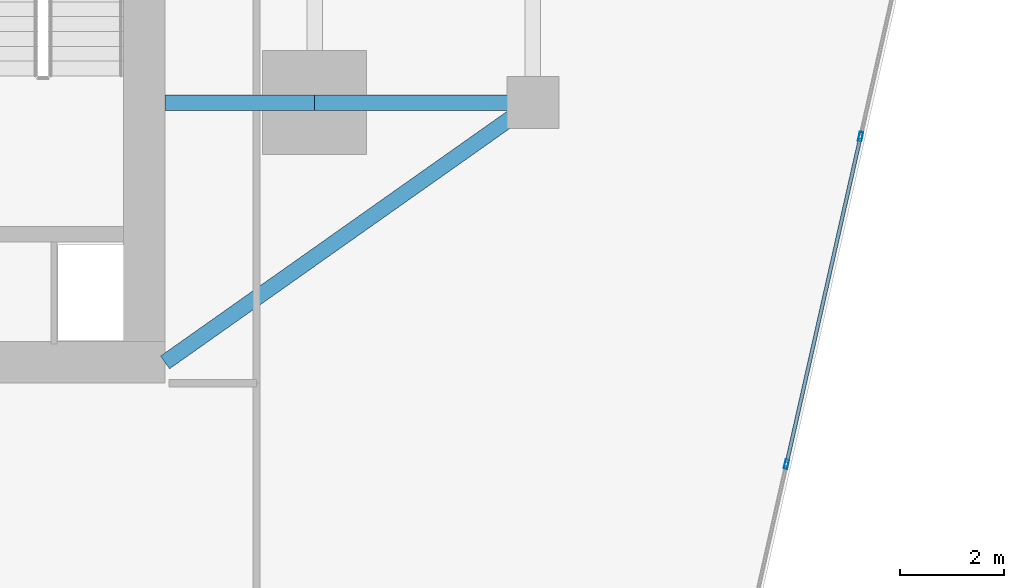
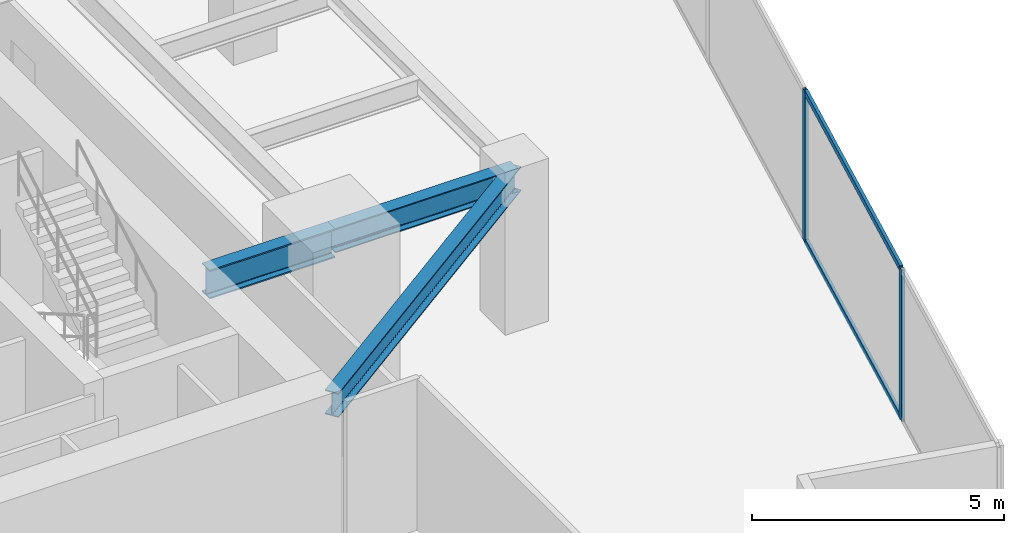
# One storey, part 11 of 26: 4 members, 3 beams, 1 element without a shape of its own.
"""IFC4 building model written with IfcOpenShell, lengths in metres."""

import ifcopenshell
import ifcopenshell.guid

model = None  # the IFC model being written
_history = None  # IfcOwnerHistory: only IFC2X3 demands one
_inside = {}  # id of a spatial element -> (the spatial element, [elements in it])
_under = {}  # id of a project, library or spatial element -> (it, [spatial elements below it])
_declared = {}  # id of a project -> (the project, [libraries it declares])
_typed = {}  # id of a type object -> (the type object, [elements of that type])
_made_of = {}  # id of a material, layer set ... -> (it, [elements and type objects made of it])


def new_model(schema):
    """Start an empty IFC model of exactly this schema.

    Asked for "IFC4X3", IfcOpenShell would pick the latest addendum, in which some entities
    have other attributes; the version numbers below select the first issue.
    IFC2X3 requires an IfcOwnerHistory on every rooted entity: one is made here for all.
    """
    global model, _history
    if schema == "IFC4X3":
        model = ifcopenshell.file(schema_version=(4, 3, 0, 0))
    else:
        model = ifcopenshell.file(schema=schema)
    _inside.clear()
    _under.clear()
    _declared.clear()
    _typed.clear()
    _made_of.clear()
    _history = None
    if model.schema == "IFC2X3":
        org = make("IfcOrganization", Name="unknown")
        user = make(
            "IfcPersonAndOrganization",
            ThePerson=make("IfcPerson", FamilyName="unknown"),
            TheOrganization=org,
        )
        app = make(
            "IfcApplication",
            ApplicationDeveloper=org,
            Version="unknown",
            ApplicationFullName="unknown",
            ApplicationIdentifier="unknown",
        )
        _history = make(
            "IfcOwnerHistory",
            OwningUser=user,
            OwningApplication=app,
            ChangeAction="ADDED",
            CreationDate=0,
        )
    return model


def make(cls, **values):
    """One entity of the class cls with the attributes given. An attribute that is None is left unset."""
    return model.create_entity(
        cls, **{name: value for name, value in values.items() if value is not None}
    )


def rooted(cls, **values):
    """An entity with a GlobalId (a new one), such as an element, a storey or a relation."""
    return make(cls, GlobalId=ifcopenshell.guid.new(), OwnerHistory=_history, **values)


def si_unit(unit_type, name, prefix=None):
    """IfcSIUnit, for example si_unit("LENGTHUNIT", "METRE", prefix="MILLI")."""
    return make("IfcSIUnit", UnitType=unit_type, Prefix=prefix, Name=name)


def assignment(units):
    """IfcUnitAssignment: the units of a project."""
    return None if units is None else make("IfcUnitAssignment", Units=units)


def point(xyz):
    """IfcCartesianPoint."""
    return None if xyz is None else make("IfcCartesianPoint", Coordinates=xyz)


def direction(xyz):
    """IfcDirection."""
    return None if xyz is None else make("IfcDirection", DirectionRatios=xyz)


def frame(location, z_axis=None, x_axis=None):
    """IfcAxis2Placement3D, a coordinate frame: its origin and axes. An axis left out is left unset."""
    return make(
        "IfcAxis2Placement3D",
        Location=point(location),
        Axis=direction(z_axis),
        RefDirection=direction(x_axis),
    )


def frame_2d(location, x_axis=None):
    """IfcAxis2Placement2D, a coordinate frame in the plane: its origin and x axis."""
    return make(
        "IfcAxis2Placement2D", Location=point(location), RefDirection=direction(x_axis)
    )


def origin():
    """The frame at (0, 0, 0) with its axes left unset."""
    return frame((0.0, 0.0, 0.0))


def origin_2d():
    """The frame at (0, 0) in the plane with its x axis left unset."""
    return frame_2d((0.0, 0.0))


def place(relative_to, where):
    """IfcLocalPlacement: puts the frame where relative to a parent placement (None: the world)."""
    return make(
        "IfcLocalPlacement", PlacementRelTo=relative_to, RelativePlacement=where
    )


def context(
    kind, dimensions, precision=None, world=None, true_north=None, identifier=None
):
    """IfcGeometricRepresentationContext, for example the 3D "Model" context."""
    return make(
        "IfcGeometricRepresentationContext",
        ContextIdentifier=identifier,
        ContextType=kind,
        CoordinateSpaceDimension=dimensions,
        Precision=precision,
        WorldCoordinateSystem=world,
        TrueNorth=true_north,
    )


def subcontext(parent, identifier, kind, view, scale=None):
    """IfcGeometricRepresentationSubContext, for example "Body" below "Model"."""
    return make(
        "IfcGeometricRepresentationSubContext",
        ContextIdentifier=identifier,
        ContextType=kind,
        ParentContext=parent,
        TargetScale=scale,
        TargetView=view,
    )


def project(units=None, contexts=None):
    """IfcProject with its units and contexts."""
    return rooted(
        "IfcProject",
        Name="project",
        RepresentationContexts=contexts,
        UnitsInContext=assignment(units),
    )


def spatial(cls, under=None, at=None, **own):
    """A site, building, storey or space (cls), placed at a placement, below another one or the project."""
    s = rooted(cls, ObjectPlacement=at, **own)
    if under is not None:
        _under.setdefault(under.id(), (under, []))[1].append(s)
    return s


def profile(cls, at=None, kind="AREA", **sizes):
    """A parametric profile (cls). Its sizes go by their IFC names, for example OverallWidth=200.0."""
    return make(cls, ProfileType=kind, Position=at, **sizes)


def hollow_rectangle(**sizes):
    """IfcRectangleHollowProfileDef."""
    return profile("IfcRectangleHollowProfileDef", **sizes)


def i_section(**sizes):
    """IfcIShapeProfileDef."""
    return profile("IfcIShapeProfileDef", **sizes)


def extrude(swept, where, along, depth):
    """IfcExtrudedAreaSolid: the profile swept, set in the frame where, extruded along a direction by depth."""
    return make(
        "IfcExtrudedAreaSolid",
        SweptArea=swept,
        Position=where,
        ExtrudedDirection=direction(along),
        Depth=depth,
    )


def shape(context_of_items, identifier, shape_type, items):
    """IfcShapeRepresentation: the items that make up one representation, for example the "Body"."""
    return make(
        "IfcShapeRepresentation",
        ContextOfItems=context_of_items,
        RepresentationIdentifier=identifier,
        RepresentationType=shape_type,
        Items=items,
    )


def source(mapping_origin, context_of_items, identifier, shape_type, items):
    """IfcRepresentationMap: a shape defined once, which mapped items show again and again."""
    return make(
        "IfcRepresentationMap",
        MappingOrigin=mapping_origin,
        MappedRepresentation=shape(context_of_items, identifier, shape_type, items),
    )


def transform(
    local_origin,
    x_axis=None,
    y_axis=None,
    z_axis=None,
    scale=None,
    scale2=None,
    scale3=None,
    uniform=True,
):
    """IfcCartesianTransformationOperator3D, or its non-uniform kind. x_axis, y_axis, z_axis: its Axis1, 2, 3."""
    if uniform:
        return make(
            "IfcCartesianTransformationOperator3D",
            Axis1=direction(x_axis),
            Axis2=direction(y_axis),
            LocalOrigin=point(local_origin),
            Scale=scale,
            Axis3=direction(z_axis),
        )
    return make(
        "IfcCartesianTransformationOperator3DnonUniform",
        Axis1=direction(x_axis),
        Axis2=direction(y_axis),
        LocalOrigin=point(local_origin),
        Scale=scale,
        Axis3=direction(z_axis),
        Scale2=scale2,
        Scale3=scale3,
    )


def mapped(mapping_source, mapping_target):
    """IfcMappedItem: shows the shape of a source again, moved by a transform."""
    return make(
        "IfcMappedItem", MappingSource=mapping_source, MappingTarget=mapping_target
    )


def material(Name=None, Category=None):
    """IfcMaterial."""
    return make("IfcMaterial", Name=Name, Category=Category)


def material_profile(
    of_material, cross_section, Name=None, Category=None, Priority=None
):
    """IfcMaterialProfile: a cross section and its material."""
    return make(
        "IfcMaterialProfile",
        Name=Name,
        Material=of_material,
        Profile=cross_section,
        Priority=Priority,
        Category=Category,
    )


def profile_set(profiles, Name=None, composite=None):
    """IfcMaterialProfileSet."""
    return make(
        "IfcMaterialProfileSet",
        Name=Name,
        MaterialProfiles=profiles,
        CompositeProfile=composite,
    )


def made_of(thing, what):
    """Note that an element or type object is made of a material, layer set ...; save() writes the relation."""
    if what is not None:
        _made_of.setdefault(what.id(), (what, []))[1].append(thing)
    return thing


def type_object(cls, material=None, **own):
    """A type object (cls), such as IfcWallType, which elements share."""
    return made_of(rooted(cls, **own), material)


def type_shapes(of_type, sources):
    """Give a type object the sources (RepresentationMaps) that its elements show as mapped items."""
    of_type.RepresentationMaps = sources


def element(
    cls,
    number,
    at=None,
    inside=None,
    cuts=None,
    type_object=None,
    material=None,
    context=None,
    identifier="Body",
    shape_type=None,
    held_by="IfcProductDefinitionShape",
    body=None,
    shapes=None,
    **own,
):
    """One element of the class cls, such as IfcWall. Its Tag is "e" and its number.

    at: its placement. inside: the storey or other place that contains it. cuts: it is an
    opening in that element (IfcRelVoidsElement). A single representation is given by context,
    identifier, shape_type and body (its items); several are given by shapes. held_by: the class
    of the entity that holds the representations. save() writes the other relations.
    """
    e = rooted(cls, Tag="e%d" % number, ObjectPlacement=at, **own)
    if body is not None:
        shapes = [shape(context, identifier, shape_type, body)]
    if shapes is not None:
        e.Representation = make(held_by, Representations=shapes)
    if inside is not None:
        _inside.setdefault(inside.id(), (inside, []))[1].append(e)
    if cuts is not None:
        rooted(
            "IfcRelVoidsElement", RelatingBuildingElement=cuts, RelatedOpeningElement=e
        )
    if type_object is not None:
        _typed.setdefault(type_object.id(), (type_object, []))[1].append(e)
    return made_of(e, material)


def aggregate(whole, parts):
    """IfcRelAggregates: a whole, such as a stair, and the parts it consists of."""
    return rooted("IfcRelAggregates", RelatingObject=whole, RelatedObjects=parts)


def save(model, path):
    """Write the relations noted so far, then the file.

    IfcRelAggregates (storeys below a building ...), IfcRelContainedInSpatialStructure (elements
    in a storey), IfcRelDefinesByType, IfcRelAssociatesMaterial and IfcRelDeclares: one each for
    every whole, place, type object, material and project.
    """
    for whole, parts in _under.values():
        aggregate(whole, parts)
    for where, things in _inside.values():
        rooted(
            "IfcRelContainedInSpatialStructure",
            RelatedElements=things,
            RelatingStructure=where,
        )
    for kind, things in _typed.values():
        rooted("IfcRelDefinesByType", RelatedObjects=things, RelatingType=kind)
    for what, things in _made_of.values():
        rooted("IfcRelAssociatesMaterial", RelatedObjects=things, RelatingMaterial=what)
    for by, libraries in _declared.values():
        rooted("IfcRelDeclares", RelatingContext=by, RelatedDefinitions=libraries)
    model.write(path)


model = new_model("IFC4")

# Units and contexts
model_context = context("Model", 3, precision=1e-05, world=origin(), true_north=direction((0.0, 1.0)))
body_context = subcontext(model_context, "Body", "Model", "MODEL_VIEW")
ifc_project = project(units=[si_unit("LENGTHUNIT", "METRE"), si_unit("AREAUNIT", "SQUARE_METRE"), si_unit("VOLUMEUNIT", "CUBIC_METRE"), si_unit("PLANEANGLEUNIT", "RADIAN"), si_unit("MASSUNIT", "GRAM", prefix="KILO")], contexts=[model_context])

# Site, building, storey
site_placement = place(None, origin())
site = spatial("IfcSite", under=ifc_project, at=site_placement, CompositionType="ELEMENT")
building_placement = place(site_placement, origin())
building = spatial("IfcBuilding", under=site, at=building_placement, Name="Krantzveldt Concourse Tower", CompositionType="ELEMENT")
storey_placement = place(building_placement, frame((0.0, 0.0, 94.0)))
storey = spatial("IfcBuildingStorey", under=building, at=storey_placement, Name="L22", CompositionType="ELEMENT", Elevation=94.0)

# Beams
ifc_material_1 = material(Name="Steel S355J2", Category="steel")
ifc_material_profile_1 = material_profile(ifc_material_1, i_section(OverallWidth=0.300048828125, OverallDepth=0.699951171875, WebThickness=0.01708984375, FlangeThickness=0.031982421875, FilletRadius=0.027099609375, at=origin_2d()), Name="Steel S355J2", Category="steel")
ifc_profile_set_1 = profile_set([ifc_material_profile_1], Name="Steel S355J2 - HEB 700")
beam_type_1 = type_object("IfcBeamType", Name="BM-B-HEB700", PredefinedType="BEAM", material=ifc_profile_set_1)
shared_shape_1 = source(origin(), body_context, "Body", "SweptSolid", [
    extrude(i_section(OverallWidth=0.300048828125, OverallDepth=0.699951171875, WebThickness=0.01708984375, FlangeThickness=0.031982421875, FilletRadius=0.027099609375, at=origin_2d()), origin(), (0.0, 0.0, 1.0), 2.880126953125),
])
type_shapes(beam_type_1, [shared_shape_1])
beam_1_placement = place(storey_placement, frame((43.919921875, 15.89990234375, 3.320068359375), z_axis=(1.0, 0.0, 0.0), x_axis=(0.0, 1.0, 0.0)))
element("IfcBeam", 1, at=beam_1_placement, inside=storey, type_object=beam_type_1, Name="L22 Tower Girder BG-CE1", PredefinedType="BEAM", context=body_context, shape_type="MappedRepresentation", body=[
    mapped(shared_shape_1, transform((0.0, 0.0, 0.0), x_axis=(1.0, 0.0, 0.0), y_axis=(0.0, 1.0, 0.0), z_axis=(0.0, 0.0, 1.0), scale=1.0)),
])
ifc_material_2 = material(Name="Steel S355JR", Category="steel")
ifc_material_profile_2 = material_profile(ifc_material_2, i_section(OverallWidth=0.300048828125, OverallDepth=0.590087890625, WebThickness=0.012939453125, FlangeThickness=0.02490234375, FilletRadius=0.027099609375, at=origin_2d()), Name="Steel S355JR", Category="steel")
ifc_profile_set_2 = profile_set([ifc_material_profile_2], Name="Steel S355JR - HEA 600")
beam_type_2 = type_object("IfcBeamType", Name="BM-B-HEA600", PredefinedType="BEAM", material=ifc_profile_set_2)
shared_shape_2 = source(origin(), body_context, "Body", "SweptSolid", [
    extrude(i_section(OverallWidth=0.300048828125, OverallDepth=0.590087890625, WebThickness=0.012939453125, FlangeThickness=0.02490234375, FilletRadius=0.027099609375, at=origin_2d()), origin(), (0.0, 0.0, 1.0), 4.199951171875),
])
beam_2_placement = place(storey_placement, frame((46.800048828125, 15.89990234375, 3.375), z_axis=(1.0, 0.0, 0.0), x_axis=(0.0, 1.0, 0.0)))
element("IfcBeam", 2, at=beam_2_placement, inside=storey, type_object=beam_type_2, Name="L22 Tower Girder BR-RR1", PredefinedType="BEAM", context=body_context, shape_type="MappedRepresentation", body=[
    mapped(shared_shape_2, transform((0.0, 0.0, 0.0), x_axis=(1.0, 0.0, 0.0), y_axis=(0.0, 1.0, 0.0), z_axis=(0.0, 0.0, 1.0), scale=1.0)),
])
shared_shape_3 = source(origin(), body_context, "Body", "SweptSolid", [
    extrude(i_section(OverallWidth=0.300048828125, OverallDepth=0.590087890625, WebThickness=0.012939453125, FlangeThickness=0.02490234375, FilletRadius=0.027099609375, at=origin_2d()), origin(), (0.0, 0.0, 1.0), 8.667724609375),
])
type_shapes(beam_type_2, [shared_shape_2, shared_shape_3])
beam_3_placement = place(storey_placement, frame((51.0, 15.89990234375, 3.375), z_axis=(-0.81684294656, -0.576860122261, 0.0), x_axis=(0.576860122261, -0.81684294656, 0.0)))
element("IfcBeam", 3, at=beam_3_placement, inside=storey, type_object=beam_type_2, Name="L22 Tower Girder BR-CSE", PredefinedType="BEAM", context=body_context, shape_type="MappedRepresentation", body=[
    mapped(shared_shape_3, transform((0.0, 0.0, 0.0), x_axis=(1.0, 0.0, 0.0), y_axis=(0.0, 1.0, 0.0), z_axis=(0.0, 0.0, 1.0), scale=1.0)),
])

# Curtain wall, members
ifc_material_3 = material(Name="Anodised aluminium 6063-T6", Category="aluminium")
curtain_wall_type = type_object("IfcCurtainWallType", Name="CW2", PredefinedType="USERDEFINED", material=ifc_material_3)
curtain_wall_placement = place(storey_placement, origin())
curtain_wall = element("IfcCurtainWall", 4, at=curtain_wall_placement, inside=storey, type_object=curtain_wall_type, Name="CW-L22-F07", ObjectType="UNITISED CURTAIN WALL", PredefinedType="USERDEFINED")
ifc_material_profile_3 = material_profile(ifc_material_3, hollow_rectangle(XDim=0.070068359375, YDim=0.179931640625, WallThickness=0.0048828125, at=origin_2d()), Name="Anodised aluminium 6063-T6", Category="aluminium")
ifc_profile_set_3 = profile_set([ifc_material_profile_3], Name="Anodised aluminium 6063-T6 - ALU-MULL 180x70x5")
member_type_1 = type_object("IfcMemberType", Name="CW-MUL-180", PredefinedType="MULLION", material=ifc_profile_set_3)
shared_shape_4 = source(origin(), body_context, "Body", "SweptSolid", [
    extrude(hollow_rectangle(XDim=0.070068359375, YDim=0.179931640625, WallThickness=0.0048828125, at=origin_2d()), origin(), (0.0, 0.0, 1.0), 3.669921875),
])
type_shapes(member_type_1, [shared_shape_4])
member_1_placement = place(storey_placement, frame((55.880859375, 8.941162109375, 0.0), z_axis=(0.0, 0.0, 1.0), x_axis=(-0.975342320609, 0.220697434579, 0.0)))
member_1 = element("IfcMember", 5, at=member_1_placement, type_object=member_type_1, Name="CW-Z12 mullion 2", PredefinedType="MULLION", context=body_context, shape_type="MappedRepresentation", body=[
    mapped(shared_shape_4, transform((0.0, 0.0, 0.0), x_axis=(1.0, 0.0, 0.0), y_axis=(0.0, 1.0, 0.0), z_axis=(0.0, 0.0, 1.0), scale=1.0)),
])
member_2_placement = place(storey_placement, frame((57.30810546875, 15.248291015625, 0.0), z_axis=(0.0, 0.0, 1.0), x_axis=(-0.975342320609, 0.220697434579, 0.0)))
member_2 = element("IfcMember", 6, at=member_2_placement, type_object=member_type_1, Name="CW-Z12 mullion 3", PredefinedType="MULLION", context=body_context, shape_type="MappedRepresentation", body=[
    mapped(shared_shape_4, transform((0.0, 0.0, 0.0), x_axis=(1.0, 0.0, 0.0), y_axis=(0.0, 1.0, 0.0), z_axis=(0.0, 0.0, 1.0), scale=1.0)),
])
ifc_material_profile_4 = material_profile(ifc_material_3, hollow_rectangle(XDim=0.070068359375, YDim=0.139892578125, WallThickness=0.0048828125, at=origin_2d()), Name="Anodised aluminium 6063-T6", Category="aluminium")
ifc_profile_set_4 = profile_set([ifc_material_profile_4], Name="Anodised aluminium 6063-T6 - ALU-TRAN 140x70x5")
member_type_2 = type_object("IfcMemberType", Name="CW-TRN-150", PredefinedType="USERDEFINED", material=ifc_profile_set_4)
shared_shape_5 = source(origin(), body_context, "Body", "SweptSolid", [
    extrude(hollow_rectangle(XDim=0.070068359375, YDim=0.139892578125, WallThickness=0.0048828125, at=origin_2d()), origin(), (0.0, 0.0, 1.0), 6.396484375),
])
type_shapes(member_type_2, [shared_shape_5])
member_3_placement = place(storey_placement, frame((55.888671875, 8.975341796875, 0.034912109375), z_axis=(0.220687273667, 0.975344619733, 0.0), x_axis=(-0.975344619733, 0.220687273667, 0.0)))
member_3 = element("IfcMember", 7, at=member_3_placement, type_object=member_type_2, Name="CW-Z12 transom 2.1", ObjectType="TRANSOM", PredefinedType="USERDEFINED", context=body_context, shape_type="MappedRepresentation", body=[
    mapped(shared_shape_5, transform((0.0, 0.0, 0.0), x_axis=(1.0, 0.0, 0.0), y_axis=(0.0, 1.0, 0.0), z_axis=(0.0, 0.0, 1.0), scale=1.0)),
])
member_4_placement = place(storey_placement, frame((55.888671875, 8.975341796875, 3.635009765625), z_axis=(0.220687273667, 0.975344619733, 0.0), x_axis=(-0.975344619733, 0.220687273667, 0.0)))
member_4 = element("IfcMember", 8, at=member_4_placement, type_object=member_type_2, Name="CW-Z12 transom 2.2", ObjectType="TRANSOM", PredefinedType="USERDEFINED", context=body_context, shape_type="MappedRepresentation", body=[
    mapped(shared_shape_5, transform((0.0, 0.0, 0.0), x_axis=(1.0, 0.0, 0.0), y_axis=(0.0, 1.0, 0.0), z_axis=(0.0, 0.0, 1.0), scale=1.0)),
])
aggregate(curtain_wall, [member_1, member_2, member_3, member_4])

save(model, "model.ifc")
